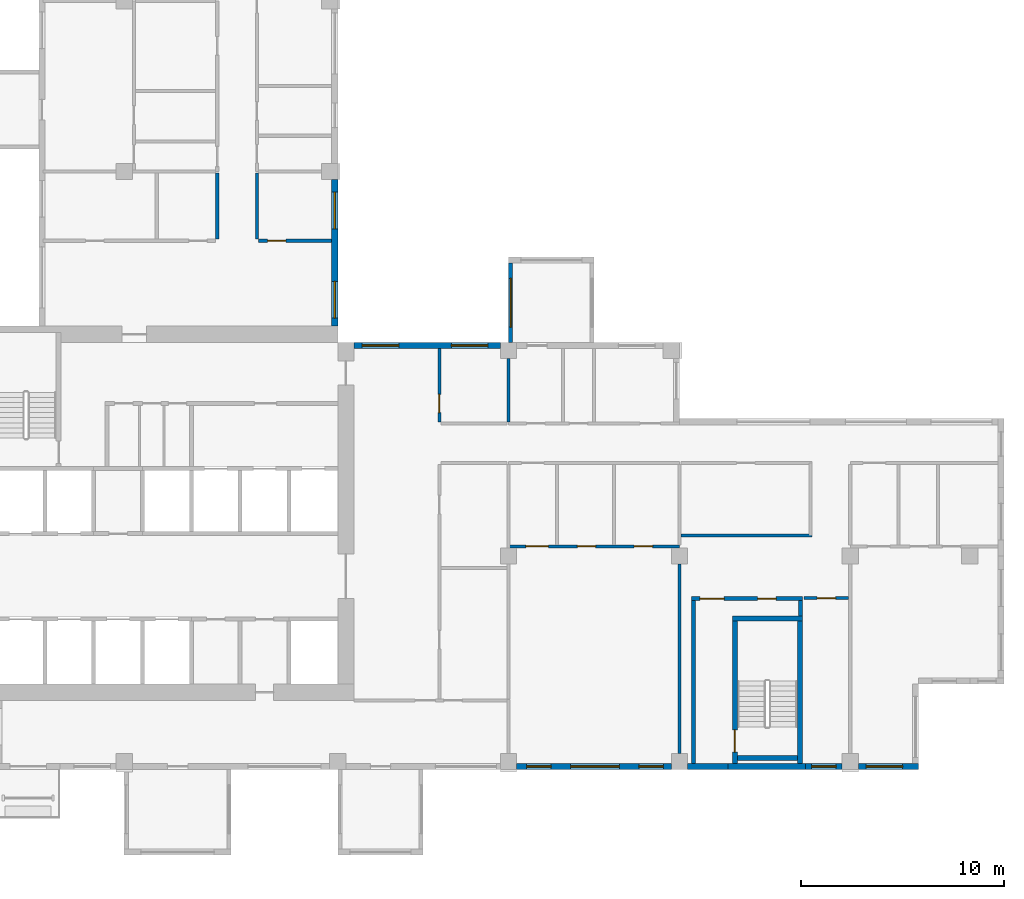
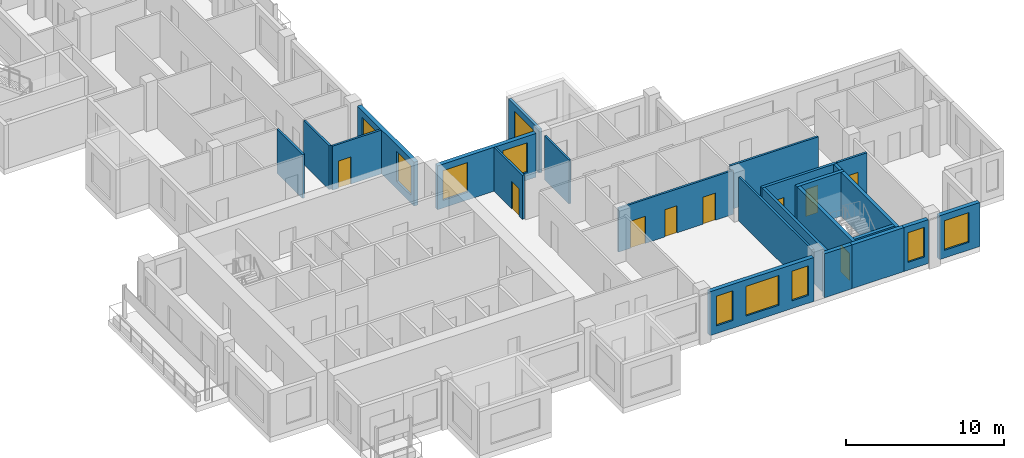
# One storey, part 4 of 12: 24 walls, 10 windows, 9 doors, 19 openings.
"""IFC4 building model written with IfcOpenShell, lengths in metres."""

from ifc_helpers import new_model, si_unit, direction, frame, frame_2d, origin, place, context, subcontext, project, spatial, rectangle, extrude, source, transform, mapped, material, layer, layer_set, type_object, element, fill, save


model = new_model("IFC4")

# Units and contexts
model_context = context("Model", 3, precision=1e-05, world=origin(), true_north=direction((0.0, 1.0)))
body_context = subcontext(model_context, "Body", "Model", "MODEL_VIEW")
ifc_project = project(units=[si_unit("LENGTHUNIT", "METRE"), si_unit("AREAUNIT", "SQUARE_METRE"), si_unit("VOLUMEUNIT", "CUBIC_METRE"), si_unit("PLANEANGLEUNIT", "RADIAN"), si_unit("MASSUNIT", "GRAM", prefix="KILO")], contexts=[model_context])

# Site, building, storey
site_placement = place(None, origin())
site = spatial("IfcSite", under=ifc_project, at=site_placement, CompositionType="ELEMENT")
building_placement = place(site_placement, origin())
building = spatial("IfcBuilding", under=site, at=building_placement, Name="Aurelian Terraces", CompositionType="ELEMENT")
storey_placement = place(building_placement, frame((0.0, 0.0, 246.2)))
storey = spatial("IfcBuildingStorey", under=building, at=storey_placement, Name="L56", CompositionType="ELEMENT", Elevation=246.2)

# Wall, opening, window
ifc_material_1 = material(Name="Concrete fc' 40 MPa", Category="concrete")
ifc_layer_1 = layer(ifc_material_1, 0.2)
ifc_layer_set_1 = layer_set([ifc_layer_1], Name="BOX BEARING WALL 200")
wall_type_1 = type_object("IfcWallType", Name="BOX BEARING WALL 200", PredefinedType="SOLIDWALL", material=ifc_layer_set_1)
shared_shape_1 = source(origin(), body_context, "Body", "SweptSolid", [
    extrude(rectangle(XDim=3.9, YDim=0.2, at=frame_2d((1.95, 0.0))), origin(), (0.0, 0.0, 1.0), 3.4),
])
wall_1_placement = place(storey_placement, frame((29.5, 21.0, 0.0), z_axis=(0.0, 0.0, 1.0), x_axis=(0.0, 1.0, 0.0)))
wall_1 = element("IfcWall", 1, at=wall_1_placement, inside=storey, type_object=wall_type_1, Name="Box return L56 J81.2", PredefinedType="SOLIDWALL", context=body_context, shape_type="MappedRepresentation", body=[
    mapped(shared_shape_1, transform((0.0, 0.0, 0.0), scale=1.0)),
])
shared_shape_2 = source(origin(), body_context, "Body", "SweptSolid", [
    extrude(rectangle(XDim=2.4, YDim=2.3, at=frame_2d((1.2, 1.15))), frame((0.0, 0.11, 0.0), z_axis=(0.0, -1.0, 0.0), x_axis=(1.0, 0.0, 0.0)), (0.0, 0.0, 1.0), 0.22),
])
opening_1_placement = place(wall_1_placement, frame((0.75, 0.0, 0.6)))
opening_1 = element("IfcOpeningElement", 2, at=opening_1_placement, cuts=wall_1, Name="Opening W2423", PredefinedType="OPENING", context=body_context, shape_type="MappedRepresentation", body=[
    mapped(shared_shape_2, transform((0.0, 0.0, 0.0), scale=1.0)),
])
ifc_material_2 = material(Name="Clear glazing", Category="glass")
window_type_1 = type_object("IfcWindowType", Name="W-2400x2300", PartitioningType="SINGLE_PANEL", PredefinedType="WINDOW", material=ifc_material_2)
shared_shape_3 = source(origin(), body_context, "Body", "SweptSolid", [
    extrude(rectangle(XDim=2.4, YDim=2.3, at=frame_2d((1.2, 1.15))), frame((0.0, 0.03, 0.0), z_axis=(0.0, -1.0, 0.0), x_axis=(1.0, 0.0, 0.0)), (0.0, 0.0, 1.0), 0.06),
])
window_1_placement = place(opening_1_placement, origin())
window_1 = element("IfcWindow", 3, at=window_1_placement, inside=storey, type_object=window_type_1, Name="Window L56 J81-S2", OverallHeight=2.3, OverallWidth=2.4, PartitioningType="SINGLE_PANEL", PredefinedType="WINDOW", context=body_context, shape_type="MappedRepresentation", body=[
    mapped(shared_shape_3, transform((0.0, 0.0, 0.0), scale=1.0)),
])
fill(opening_1, window_1)

# Wall
ifc_layer_2 = layer(ifc_material_1, 0.3)
ifc_layer_set_2 = layer_set([ifc_layer_2], Name="STAIR BAY WALL 300")
wall_type_2 = type_object("IfcWallType", Name="STAIR BAY WALL 300", PredefinedType="SOLIDWALL", material=ifc_layer_set_2)
shared_shape_4 = source(origin(), body_context, "Body", "SweptSolid", [
    extrude(rectangle(XDim=3.8, YDim=0.3, at=frame_2d((1.9, 0.0))), origin(), (0.0, 0.0, 1.0), 3.4),
])
wall_2_placement = place(storey_placement, frame((40.2, 0.15, 0.0), z_axis=(0.0, 0.0, 1.0), x_axis=(1.0, 0.0, 0.0)))
element("IfcWall", 4, at=wall_2_placement, inside=storey, type_object=wall_type_2, Name="Stair bay wall L56 F01.6", PredefinedType="SOLIDWALL", context=body_context, shape_type="MappedRepresentation", body=[
    mapped(shared_shape_4, transform((0.0, 0.0, 0.0), scale=1.0)),
])

# Wall, openings, windows
ifc_material_3 = material(Name="Terracotta rainscreen cladding", Category="masonry")
ifc_layer_3 = layer(ifc_material_3, 0.3)
ifc_layer_set_3 = layer_set([ifc_layer_3], Name="EW-300")
wall_type_3 = type_object("IfcWallType", Name="EW-300", PredefinedType="STANDARD", material=ifc_layer_set_3)
shared_shape_5 = source(origin(), body_context, "Body", "SweptSolid", [
    extrude(rectangle(XDim=7.2, YDim=0.3, at=frame_2d((3.6, 0.0))), origin(), (0.0, 0.0, 1.0), 3.4),
])
wall_3_placement = place(storey_placement, frame((29.0, 20.85, 0.0), z_axis=(0.0, 0.0, 1.0), x_axis=(-1.0, 0.0, 0.0)))
wall_3 = element("IfcWall", 5, at=wall_3_placement, inside=storey, type_object=wall_type_3, Name="External wall L56 F07.17", PredefinedType="STANDARD", context=body_context, shape_type="MappedRepresentation", body=[
    mapped(shared_shape_5, transform((0.0, 0.0, 0.0), scale=1.0)),
])
shared_shape_6 = source(origin(), body_context, "Body", "SweptSolid", [
    extrude(rectangle(XDim=1.8, YDim=2.3, at=frame_2d((0.9, 1.15))), frame((0.0, 0.16, 0.0), z_axis=(0.0, -1.0, 0.0), x_axis=(1.0, 0.0, 0.0)), (0.0, 0.0, 1.0), 0.32),
])
opening_2_placement = place(wall_3_placement, frame((0.6125, 0.0, 0.6)))
opening_2 = element("IfcOpeningElement", 6, at=opening_2_placement, cuts=wall_3, Name="Opening W1823", PredefinedType="OPENING", context=body_context, shape_type="MappedRepresentation", body=[
    mapped(shared_shape_6, transform((0.0, 0.0, 0.0), scale=1.0)),
])
opening_3_placement = place(wall_3_placement, frame((5.0, 0.0, 0.6)))
opening_3 = element("IfcOpeningElement", 7, at=opening_3_placement, cuts=wall_3, Name="Opening W1823", PredefinedType="OPENING", context=body_context, shape_type="MappedRepresentation", body=[
    mapped(shared_shape_6, transform((0.0, 0.0, 0.0), scale=1.0)),
])
window_type_2 = type_object("IfcWindowType", Name="W-1800x2300", PartitioningType="SINGLE_PANEL", PredefinedType="WINDOW", material=ifc_material_2)
shared_shape_7 = source(origin(), body_context, "Body", "SweptSolid", [
    extrude(rectangle(XDim=1.8, YDim=2.3, at=frame_2d((0.9, 1.15))), frame((0.0, 0.03, 0.0), z_axis=(0.0, -1.0, 0.0), x_axis=(1.0, 0.0, 0.0)), (0.0, 0.0, 1.0), 0.06),
])
window_2_placement = place(opening_2_placement, origin())
window_2 = element("IfcWindow", 8, at=window_2_placement, inside=storey, type_object=window_type_2, Name="Window L56 L56-F07-17-0", OverallHeight=2.3, OverallWidth=1.8, PartitioningType="SINGLE_PANEL", PredefinedType="WINDOW", context=body_context, shape_type="MappedRepresentation", body=[
    mapped(shared_shape_7, transform((0.0, 0.0, 0.0), scale=1.0)),
])
fill(opening_2, window_2)
window_3_placement = place(opening_3_placement, origin())
window_3 = element("IfcWindow", 9, at=window_3_placement, inside=storey, type_object=window_type_2, Name="Window L56 L56-F07-17-1", OverallHeight=2.3, OverallWidth=1.8, PartitioningType="SINGLE_PANEL", PredefinedType="WINDOW", context=body_context, shape_type="MappedRepresentation", body=[
    mapped(shared_shape_7, transform((0.0, 0.0, 0.0), scale=1.0)),
])
fill(opening_3, window_3)

wall_4_placement = place(storey_placement, frame((20.85, 21.8, 0.0), z_axis=(0.0, 0.0, 1.0), x_axis=(0.0, 1.0, 0.0)))
wall_4 = element("IfcWall", 10, at=wall_4_placement, inside=storey, type_object=wall_type_3, Name="External wall L56 F08.18", PredefinedType="STANDARD", context=body_context, shape_type="MappedRepresentation", body=[
    mapped(shared_shape_5, transform((0.0, 0.0, 0.0), scale=1.0)),
])
opening_4_placement = place(wall_4_placement, frame((0.4, 0.0, 0.6)))
opening_4 = element("IfcOpeningElement", 11, at=opening_4_placement, cuts=wall_4, Name="Opening W1823", PredefinedType="OPENING", context=body_context, shape_type="MappedRepresentation", body=[
    mapped(shared_shape_6, transform((0.0, 0.0, 0.0), scale=1.0)),
])
opening_5_placement = place(wall_4_placement, frame((4.7875, 0.0, 0.6)))
opening_5 = element("IfcOpeningElement", 12, at=opening_5_placement, cuts=wall_4, Name="Opening W1823", PredefinedType="OPENING", context=body_context, shape_type="MappedRepresentation", body=[
    mapped(shared_shape_6, transform((0.0, 0.0, 0.0), scale=1.0)),
])
window_4_placement = place(opening_4_placement, origin())
window_4 = element("IfcWindow", 13, at=window_4_placement, inside=storey, type_object=window_type_2, Name="Window L56 L56-F08-18-0", OverallHeight=2.3, OverallWidth=1.8, PartitioningType="SINGLE_PANEL", PredefinedType="WINDOW", context=body_context, shape_type="MappedRepresentation", body=[
    mapped(shared_shape_7, transform((0.0, 0.0, 0.0), scale=1.0)),
])
fill(opening_4, window_4)
window_5_placement = place(opening_5_placement, origin())
window_5 = element("IfcWindow", 14, at=window_5_placement, inside=storey, type_object=window_type_2, Name="Window L56 L56-F08-18-1", OverallHeight=2.3, OverallWidth=1.8, PartitioningType="SINGLE_PANEL", PredefinedType="WINDOW", context=body_context, shape_type="MappedRepresentation", body=[
    mapped(shared_shape_7, transform((0.0, 0.0, 0.0), scale=1.0)),
])
fill(opening_5, window_5)

shared_shape_8 = source(origin(), body_context, "Body", "SweptSolid", [
    extrude(rectangle(XDim=7.6, YDim=0.3, at=frame_2d((3.8, 0.0))), origin(), (0.0, 0.0, 1.0), 3.4),
])
wall_5_placement = place(storey_placement, frame((29.8, 0.15, 0.0), z_axis=(0.0, 0.0, 1.0), x_axis=(1.0, 0.0, 0.0)))
wall_5 = element("IfcWall", 15, at=wall_5_placement, inside=storey, type_object=wall_type_3, Name="External wall L56 F01.5", PredefinedType="STANDARD", context=body_context, shape_type="MappedRepresentation", body=[
    mapped(shared_shape_8, transform((0.0, 0.0, 0.0), scale=1.0)),
])
shared_shape_9 = source(origin(), body_context, "Body", "SweptSolid", [
    extrude(rectangle(XDim=1.2, YDim=2.3, at=frame_2d((0.6, 1.15))), frame((0.0, 0.16, 0.0), z_axis=(0.0, -1.0, 0.0), x_axis=(1.0, 0.0, 0.0)), (0.0, 0.0, 1.0), 0.32),
])
opening_6_placement = place(wall_5_placement, frame((0.4875, 0.0, 0.6)))
opening_6 = element("IfcOpeningElement", 16, at=opening_6_placement, cuts=wall_5, Name="Opening W1223", PredefinedType="OPENING", context=body_context, shape_type="MappedRepresentation", body=[
    mapped(shared_shape_9, transform((0.0, 0.0, 0.0), scale=1.0)),
])
opening_7_placement = place(wall_5_placement, frame((6.0125, 0.0, 0.6)))
opening_7 = element("IfcOpeningElement", 17, at=opening_7_placement, cuts=wall_5, Name="Opening W1223", PredefinedType="OPENING", context=body_context, shape_type="MappedRepresentation", body=[
    mapped(shared_shape_9, transform((0.0, 0.0, 0.0), scale=1.0)),
])
shared_shape_10 = source(origin(), body_context, "Body", "SweptSolid", [
    extrude(rectangle(XDim=2.4, YDim=2.3, at=frame_2d((1.2, 1.15))), frame((0.0, 0.16, 0.0), z_axis=(0.0, -1.0, 0.0), x_axis=(1.0, 0.0, 0.0)), (0.0, 0.0, 1.0), 0.32),
])
opening_8_placement = place(wall_5_placement, frame((2.65, 0.0, 0.6)))
opening_8 = element("IfcOpeningElement", 18, at=opening_8_placement, cuts=wall_5, Name="Opening W2423", PredefinedType="OPENING", context=body_context, shape_type="MappedRepresentation", body=[
    mapped(shared_shape_10, transform((0.0, 0.0, 0.0), scale=1.0)),
])
window_type_3 = type_object("IfcWindowType", Name="W-1200x2300", PartitioningType="SINGLE_PANEL", PredefinedType="WINDOW", material=ifc_material_2)
shared_shape_11 = source(origin(), body_context, "Body", "SweptSolid", [
    extrude(rectangle(XDim=1.2, YDim=2.3, at=frame_2d((0.6, 1.15))), frame((0.0, 0.03, 0.0), z_axis=(0.0, -1.0, 0.0), x_axis=(1.0, 0.0, 0.0)), (0.0, 0.0, 1.0), 0.06),
])
window_6_placement = place(opening_6_placement, origin())
window_6 = element("IfcWindow", 19, at=window_6_placement, inside=storey, type_object=window_type_3, Name="Window L56 L56-F01-05-0", OverallHeight=2.3, OverallWidth=1.2, PartitioningType="SINGLE_PANEL", PredefinedType="WINDOW", context=body_context, shape_type="MappedRepresentation", body=[
    mapped(shared_shape_11, transform((0.0, 0.0, 0.0), scale=1.0)),
])
fill(opening_6, window_6)
window_7_placement = place(opening_7_placement, origin())
window_7 = element("IfcWindow", 20, at=window_7_placement, inside=storey, type_object=window_type_3, Name="Window L56 L56-F01-05-1", OverallHeight=2.3, OverallWidth=1.2, PartitioningType="SINGLE_PANEL", PredefinedType="WINDOW", context=body_context, shape_type="MappedRepresentation", body=[
    mapped(shared_shape_11, transform((0.0, 0.0, 0.0), scale=1.0)),
])
fill(opening_7, window_7)
window_8_placement = place(opening_8_placement, origin())
window_8 = element("IfcWindow", 21, at=window_8_placement, inside=storey, type_object=window_type_1, Name="Window L56 L56-F01-05-G0-21", OverallHeight=2.3, OverallWidth=2.4, PartitioningType="SINGLE_PANEL", PredefinedType="WINDOW", context=body_context, shape_type="MappedRepresentation", body=[
    mapped(shared_shape_3, transform((0.0, 0.0, 0.0), scale=1.0)),
])
fill(opening_8, window_8)

# Wall, opening, window
shared_shape_12 = source(origin(), body_context, "Body", "SweptSolid", [
    extrude(rectangle(XDim=2.96, YDim=0.3, at=frame_2d((1.48, 0.0))), origin(), (0.0, 0.0, 1.0), 3.4),
])
wall_6_placement = place(storey_placement, frame((46.6, 0.15, 0.0), z_axis=(0.0, 0.0, 1.0), x_axis=(1.0, 0.0, 0.0)))
wall_6 = element("IfcWall", 22, at=wall_6_placement, inside=storey, type_object=wall_type_3, Name="External wall L56 F01.7", PredefinedType="STANDARD", context=body_context, shape_type="MappedRepresentation", body=[
    mapped(shared_shape_12, transform((0.0, 0.0, 0.0), scale=1.0)),
])
opening_9_placement = place(wall_6_placement, frame((0.38, 0.0, 0.6)))
opening_9 = element("IfcOpeningElement", 23, at=opening_9_placement, cuts=wall_6, Name="Opening W1823", PredefinedType="OPENING", context=body_context, shape_type="MappedRepresentation", body=[
    mapped(shared_shape_6, transform((0.0, 0.0, 0.0), scale=1.0)),
])
window_9_placement = place(opening_9_placement, origin())
window_9 = element("IfcWindow", 24, at=window_9_placement, inside=storey, type_object=window_type_2, Name="Window L56 L56-F01-07-0", OverallHeight=2.3, OverallWidth=1.8, PartitioningType="SINGLE_PANEL", PredefinedType="WINDOW", context=body_context, shape_type="MappedRepresentation", body=[
    mapped(shared_shape_7, transform((0.0, 0.0, 0.0), scale=1.0)),
])
fill(opening_9, window_9)

# Wall
shared_shape_13 = source(origin(), body_context, "Body", "SweptSolid", [
    extrude(rectangle(XDim=2.0, YDim=0.3, at=frame_2d((1.0, 0.0))), origin(), (0.0, 0.0, 1.0), 3.4),
])
wall_7_placement = place(storey_placement, frame((38.2, 0.15, 0.0), z_axis=(0.0, 0.0, 1.0), x_axis=(1.0, 0.0, 0.0)))
element("IfcWall", 25, at=wall_7_placement, inside=storey, type_object=wall_type_3, Name="External wall L56 F01.6", PredefinedType="STANDARD", context=body_context, shape_type="MappedRepresentation", body=[
    mapped(shared_shape_13, transform((0.0, 0.0, 0.0), scale=1.0)),
])

# Wall, opening, window
shared_shape_14 = source(origin(), body_context, "Body", "SweptSolid", [
    extrude(rectangle(XDim=1.8, YDim=0.3, at=frame_2d((0.9, 0.0))), origin(), (0.0, 0.0, 1.0), 3.4),
])
wall_8_placement = place(storey_placement, frame((44.0, 0.15, 0.0), z_axis=(0.0, 0.0, 1.0), x_axis=(1.0, 0.0, 0.0)))
wall_8 = element("IfcWall", 26, at=wall_8_placement, inside=storey, type_object=wall_type_3, Name="External wall L56 F01.6", PredefinedType="STANDARD", context=body_context, shape_type="MappedRepresentation", body=[
    mapped(shared_shape_14, transform((0.0, 0.0, 0.0), scale=1.0)),
])
opening_10_placement = place(wall_8_placement, frame((0.3, 0.0, 0.6)))
opening_10 = element("IfcOpeningElement", 27, at=opening_10_placement, cuts=wall_8, Name="Opening W1223", PredefinedType="OPENING", context=body_context, shape_type="MappedRepresentation", body=[
    mapped(shared_shape_9, transform((0.0, 0.0, 0.0), scale=1.0)),
])
window_10_placement = place(opening_10_placement, origin())
window_10 = element("IfcWindow", 28, at=window_10_placement, inside=storey, type_object=window_type_3, Name="Window L56 L56-F01-06-P2", OverallHeight=2.3, OverallWidth=1.2, PartitioningType="SINGLE_PANEL", PredefinedType="WINDOW", context=body_context, shape_type="MappedRepresentation", body=[
    mapped(shared_shape_11, transform((0.0, 0.0, 0.0), scale=1.0)),
])
fill(opening_10, window_10)

# Wall, opening, door
ifc_layer_4 = layer(ifc_material_1, 0.25)
ifc_layer_set_4 = layer_set([ifc_layer_4], Name="Stair enclosure wall 250")
wall_type_4 = type_object("IfcWallType", Name="Stair enclosure wall 250", PredefinedType="SOLIDWALL", material=ifc_layer_set_4)
shared_shape_15 = source(origin(), body_context, "Body", "SweptSolid", [
    extrude(rectangle(XDim=7.0, YDim=0.25, at=frame_2d((3.5, 0.0))), origin(), (0.0, 0.0, 1.0), 3.4),
])
wall_9_placement = place(storey_placement, frame((40.525, 0.3, 0.0), z_axis=(0.0, 0.0, 1.0), x_axis=(0.0, 1.0, 0.0)))
wall_9 = element("IfcWall", 29, at=wall_9_placement, inside=storey, type_object=wall_type_4, Name="L56 core wall ST-S2-W", PredefinedType="SOLIDWALL", context=body_context, shape_type="MappedRepresentation", body=[
    mapped(shared_shape_15, transform((0.0, 0.0, 0.0), scale=1.0)),
])
shared_shape_16 = source(origin(), body_context, "Body", "SweptSolid", [
    extrude(rectangle(XDim=1.1, YDim=2.1, at=frame_2d((0.55, 1.05))), frame((0.0, 0.135, 0.0), z_axis=(0.0, -1.0, 0.0), x_axis=(1.0, 0.0, 0.0)), (0.0, 0.0, 1.0), 0.27),
])
opening_11_placement = place(wall_9_placement, frame((0.55, 0.0, 0.0)))
opening_11 = element("IfcOpeningElement", 30, at=opening_11_placement, cuts=wall_9, Name="Opening 65917", PredefinedType="OPENING", context=body_context, shape_type="MappedRepresentation", body=[
    mapped(shared_shape_16, transform((0.0, 0.0, 0.0), scale=1.0)),
])
ifc_material_4 = material(Name="Steel door leaf", Category="steel")
door_type_1 = type_object("IfcDoorType", Name="Core fire door 1100x2100", OperationType="SINGLE_SWING_LEFT", PredefinedType="DOOR", material=ifc_material_4)
shared_shape_17 = source(origin(), body_context, "Body", "SweptSolid", [
    extrude(rectangle(XDim=1.1, YDim=2.1, at=frame_2d((0.55, 1.05))), frame((0.0, 0.025, 0.0), z_axis=(0.0, -1.0, 0.0), x_axis=(1.0, 0.0, 0.0)), (0.0, 0.0, 1.0), 0.05),
])
door_1_placement = place(opening_11_placement, origin())
door_1 = element("IfcDoor", 31, at=door_1_placement, inside=storey, type_object=door_type_1, Name="Stair door 65917", OperationType="SINGLE_SWING_LEFT", OverallHeight=2.1, OverallWidth=1.1, PredefinedType="DOOR", context=body_context, shape_type="MappedRepresentation", body=[
    mapped(shared_shape_17, transform((0.0, 0.0, 0.0), scale=1.0)),
])
fill(opening_11, door_1)

# Walls
wall_10_placement = place(storey_placement, frame((43.725, 0.3, 0.0), z_axis=(0.0, 0.0, 1.0), x_axis=(0.0, 1.0, 0.0)))
element("IfcWall", 32, at=wall_10_placement, inside=storey, type_object=wall_type_4, Name="L56 core wall ST-S2-E", PredefinedType="SOLIDWALL", context=body_context, shape_type="MappedRepresentation", body=[
    mapped(shared_shape_15, transform((0.0, 0.0, 0.0), scale=1.0)),
])
shared_shape_18 = source(origin(), body_context, "Body", "SweptSolid", [
    extrude(rectangle(XDim=3.45, YDim=0.25, at=frame_2d((1.725, 0.0))), origin(), (0.0, 0.0, 1.0), 3.4),
])
wall_11_placement = place(storey_placement, frame((40.4, 7.425, 0.0), z_axis=(0.0, 0.0, 1.0), x_axis=(1.0, 0.0, 0.0)))
element("IfcWall", 33, at=wall_11_placement, inside=storey, type_object=wall_type_4, Name="L56 core wall ST-S2-N", PredefinedType="SOLIDWALL", context=body_context, shape_type="MappedRepresentation", body=[
    mapped(shared_shape_18, transform((0.0, 0.0, 0.0), scale=1.0)),
])
shared_shape_19 = source(origin(), body_context, "Body", "SweptSolid", [
    extrude(rectangle(XDim=2.95, YDim=0.25, at=frame_2d((1.475, 0.0))), origin(), (0.0, 0.0, 1.0), 3.4),
])
wall_12_placement = place(storey_placement, frame((40.65, 0.575, 0.0), z_axis=(0.0, 0.0, 1.0), x_axis=(1.0, 0.0, 0.0)))
element("IfcWall", 34, at=wall_12_placement, inside=storey, type_object=wall_type_4, Name="L56 core wall ST-S2-SS", PredefinedType="SOLIDWALL", context=body_context, shape_type="MappedRepresentation", body=[
    mapped(shared_shape_19, transform((0.0, 0.0, 0.0), scale=1.0)),
])

# Wall, openings, doors
ifc_material_5 = material(Name="Gypsum board on steel studs", Category="steel")
ifc_layer_5 = layer(ifc_material_5, 0.2)
ifc_layer_set_5 = layer_set([ifc_layer_5], Name="Core partition 200")
wall_type_5 = type_object("IfcWallType", Name="Core partition 200", PredefinedType="PARTITIONING", material=ifc_layer_set_5)
shared_shape_20 = source(origin(), body_context, "Body", "SweptSolid", [
    extrude(rectangle(XDim=5.45, YDim=0.2, at=frame_2d((2.725, 0.0))), origin(), (0.0, 0.0, 1.0), 3.4),
])
wall_13_placement = place(storey_placement, frame((38.4, 8.4, 0.0), z_axis=(0.0, 0.0, 1.0), x_axis=(1.0, 0.0, 0.0)))
wall_13 = element("IfcWall", 35, at=wall_13_placement, inside=storey, type_object=wall_type_5, Name="L56 core wall ST-S2-BN", PredefinedType="PARTITIONING", context=body_context, shape_type="MappedRepresentation", body=[
    mapped(shared_shape_20, transform((0.0, 0.0, 0.0), scale=1.0)),
])
shared_shape_21 = source(origin(), body_context, "Body", "SweptSolid", [
    extrude(rectangle(XDim=1.2, YDim=2.1, at=frame_2d((0.6, 1.05))), frame((0.0, 0.11, 0.0), z_axis=(0.0, -1.0, 0.0), x_axis=(1.0, 0.0, 0.0)), (0.0, 0.0, 1.0), 0.22),
])
opening_12_placement = place(wall_13_placement, frame((0.4, 0.0, 0.0)))
opening_12 = element("IfcOpeningElement", 36, at=opening_12_placement, cuts=wall_13, Name="Opening 65918", PredefinedType="OPENING", context=body_context, shape_type="MappedRepresentation", body=[
    mapped(shared_shape_21, transform((0.0, 0.0, 0.0), scale=1.0)),
])
shared_shape_22 = source(origin(), body_context, "Body", "SweptSolid", [
    extrude(rectangle(XDim=0.9, YDim=2.1, at=frame_2d((0.45, 1.05))), frame((0.0, 0.11, 0.0), z_axis=(0.0, -1.0, 0.0), x_axis=(1.0, 0.0, 0.0)), (0.0, 0.0, 1.0), 0.22),
])
opening_13_placement = place(wall_13_placement, frame((3.25, 0.0, 0.0)))
opening_13 = element("IfcOpeningElement", 37, at=opening_13_placement, cuts=wall_13, Name="Opening 65919", PredefinedType="OPENING", context=body_context, shape_type="MappedRepresentation", body=[
    mapped(shared_shape_22, transform((0.0, 0.0, 0.0), scale=1.0)),
])
door_type_2 = type_object("IfcDoorType", Name="Core riser door 900x2100", OperationType="SINGLE_SWING_LEFT", PredefinedType="DOOR", material=ifc_material_4)
shared_shape_23 = source(origin(), body_context, "Body", "SweptSolid", [
    extrude(rectangle(XDim=0.9, YDim=2.1, at=frame_2d((0.45, 1.05))), frame((0.0, 0.025, 0.0), z_axis=(0.0, -1.0, 0.0), x_axis=(1.0, 0.0, 0.0)), (0.0, 0.0, 1.0), 0.05),
])
door_2_placement = place(opening_13_placement, origin())
door_2 = element("IfcDoor", 38, at=door_2_placement, inside=storey, type_object=door_type_2, Name="Riser door 65919", OperationType="SINGLE_SWING_LEFT", OverallHeight=2.1, OverallWidth=0.9, PredefinedType="DOOR", context=body_context, shape_type="MappedRepresentation", body=[
    mapped(shared_shape_23, transform((0.0, 0.0, 0.0), scale=1.0)),
])
fill(opening_13, door_2)
door_type_3 = type_object("IfcDoorType", Name="Core fire door 1200x2100 right", OperationType="SINGLE_SWING_RIGHT", PredefinedType="DOOR", material=ifc_material_4)
shared_shape_24 = source(origin(), body_context, "Body", "SweptSolid", [
    extrude(rectangle(XDim=1.2, YDim=2.1, at=frame_2d((0.6, 1.05))), frame((0.0, 0.025, 0.0), z_axis=(0.0, -1.0, 0.0), x_axis=(1.0, 0.0, 0.0)), (0.0, 0.0, 1.0), 0.05),
])
door_3_placement = place(opening_12_placement, origin())
door_3 = element("IfcDoor", 39, at=door_3_placement, inside=storey, type_object=door_type_3, Name="Vestibule door 65918", OperationType="SINGLE_SWING_RIGHT", OverallHeight=2.1, OverallWidth=1.2, PredefinedType="DOOR", context=body_context, shape_type="MappedRepresentation", body=[
    mapped(shared_shape_24, transform((0.0, 0.0, 0.0), scale=1.0)),
])
fill(opening_12, door_3)

# Walls
shared_shape_25 = source(origin(), body_context, "Body", "SweptSolid", [
    extrude(rectangle(XDim=0.75, YDim=0.2, at=frame_2d((0.375, 0.0))), origin(), (0.0, 0.0, 1.0), 3.4),
])
wall_14_placement = place(storey_placement, frame((43.75, 7.55, 0.0), z_axis=(0.0, 0.0, 1.0), x_axis=(0.0, 1.0, 0.0)))
element("IfcWall", 40, at=wall_14_placement, inside=storey, type_object=wall_type_5, Name="L56 core wall ST-S2-RE", PredefinedType="PARTITIONING", context=body_context, shape_type="MappedRepresentation", body=[
    mapped(shared_shape_25, transform((0.0, 0.0, 0.0), scale=1.0)),
])
shared_shape_26 = source(origin(), body_context, "Body", "SweptSolid", [
    extrude(rectangle(XDim=8.0, YDim=0.2, at=frame_2d((4.0, 0.0))), origin(), (0.0, 0.0, 1.0), 3.4),
])
wall_15_placement = place(storey_placement, frame((38.5, 0.3, 0.0), z_axis=(0.0, 0.0, 1.0), x_axis=(0.0, 1.0, 0.0)))
element("IfcWall", 41, at=wall_15_placement, inside=storey, type_object=wall_type_5, Name="L56 core wall ST-S2-VW", PredefinedType="PARTITIONING", context=body_context, shape_type="MappedRepresentation", body=[
    mapped(shared_shape_26, transform((0.0, 0.0, 0.0), scale=1.0)),
])
ifc_layer_6 = layer(ifc_material_5, 0.15)
ifc_layer_set_6 = layer_set([ifc_layer_6], Name="Partition 150")
wall_type_6 = type_object("IfcWallType", Name="Partition 150", PredefinedType="PARTITIONING", material=ifc_layer_set_6)
shared_shape_27 = source(origin(), body_context, "Body", "SweptSolid", [
    extrude(rectangle(XDim=6.45, YDim=0.15, at=frame_2d((3.225, 0.0))), origin(), (0.0, 0.0, 1.0), 3.4),
])
wall_16_placement = place(storey_placement, frame((37.875, 11.5, 0.0), z_axis=(0.0, 0.0, 1.0), x_axis=(1.0, 0.0, 0.0)))
element("IfcWall", 42, at=wall_16_placement, inside=storey, type_object=wall_type_6, Name="Partition", PredefinedType="PARTITIONING", context=body_context, shape_type="MappedRepresentation", body=[
    mapped(shared_shape_27, transform((0.0, 0.0, 0.0), scale=1.0)),
])

# Wall, opening, door
shared_shape_28 = source(origin(), body_context, "Body", "SweptSolid", [
    extrude(rectangle(XDim=3.6, YDim=0.15, at=frame_2d((1.8, 0.0))), origin(), (0.0, 0.0, 1.0), 3.4),
])
wall_17_placement = place(storey_placement, frame((26.0, 20.7, 0.0), z_axis=(0.0, 0.0, 1.0), x_axis=(0.0, -1.0, 0.0)))
wall_17 = element("IfcWall", 43, at=wall_17_placement, inside=storey, type_object=wall_type_6, Name="Partition", PredefinedType="PARTITIONING", context=body_context, shape_type="MappedRepresentation", body=[
    mapped(shared_shape_28, transform((0.0, 0.0, 0.0), scale=1.0)),
])
shared_shape_29 = source(origin(), body_context, "Body", "SweptSolid", [
    extrude(rectangle(XDim=0.9, YDim=2.1, at=frame_2d((0.45, 1.05))), frame((0.0, 0.085, 0.0), z_axis=(0.0, -1.0, 0.0), x_axis=(1.0, 0.0, 0.0)), (0.0, 0.0, 1.0), 0.17),
])
opening_14_placement = place(wall_17_placement, frame((2.25, 0.0, 0.0)))
opening_14 = element("IfcOpeningElement", 44, at=opening_14_placement, cuts=wall_17, Name="Opening 756003", PredefinedType="OPENING", context=body_context, shape_type="MappedRepresentation", body=[
    mapped(shared_shape_29, transform((0.0, 0.0, 0.0), scale=1.0)),
])
ifc_material_6 = material(Name="Timber door leaf", Category="wood")
door_type_4 = type_object("IfcDoorType", Name="Room door 900x2100 right", OperationType="SINGLE_SWING_RIGHT", PredefinedType="DOOR", material=ifc_material_6)
door_4_placement = place(opening_14_placement, origin())
door_4 = element("IfcDoor", 45, at=door_4_placement, inside=storey, type_object=door_type_4, Name="Door 756003", OperationType="SINGLE_SWING_RIGHT", OverallHeight=2.1, OverallWidth=0.9, PredefinedType="DOOR", context=body_context, shape_type="MappedRepresentation", body=[
    mapped(shared_shape_23, transform((0.0, 0.0, 0.0), scale=1.0)),
])
fill(opening_14, door_4)

wall_18_placement = place(storey_placement, frame((17.1, 26.0, 0.0), z_axis=(0.0, 0.0, 1.0), x_axis=(1.0, 0.0, 0.0)))
wall_18 = element("IfcWall", 46, at=wall_18_placement, inside=storey, type_object=wall_type_6, Name="Partition", PredefinedType="PARTITIONING", context=body_context, shape_type="MappedRepresentation", body=[
    mapped(shared_shape_28, transform((0.0, 0.0, 0.0), scale=1.0)),
])
opening_15_placement = place(wall_18_placement, frame((0.45, 0.0, 0.0)))
opening_15 = element("IfcOpeningElement", 47, at=opening_15_placement, cuts=wall_18, Name="Opening 756020", PredefinedType="OPENING", context=body_context, shape_type="MappedRepresentation", body=[
    mapped(shared_shape_29, transform((0.0, 0.0, 0.0), scale=1.0)),
])
door_5_placement = place(opening_15_placement, origin())
door_5 = element("IfcDoor", 48, at=door_5_placement, inside=storey, type_object=door_type_4, Name="Door 756020", OperationType="SINGLE_SWING_RIGHT", OverallHeight=2.1, OverallWidth=0.9, PredefinedType="DOOR", context=body_context, shape_type="MappedRepresentation", body=[
    mapped(shared_shape_23, transform((0.0, 0.0, 0.0), scale=1.0)),
])
fill(opening_15, door_5)

# Wall, openings, doors
shared_shape_30 = source(origin(), body_context, "Body", "SweptSolid", [
    extrude(rectangle(XDim=8.4, YDim=0.15, at=frame_2d((4.2, 0.0))), origin(), (0.0, 0.0, 1.0), 3.4),
])
wall_19_placement = place(storey_placement, frame((37.8, 10.975, 0.0), z_axis=(0.0, 0.0, 1.0), x_axis=(-1.0, 0.0, 0.0)))
wall_19 = element("IfcWall", 49, at=wall_19_placement, inside=storey, type_object=wall_type_6, Name="Partition", PredefinedType="PARTITIONING", context=body_context, shape_type="MappedRepresentation", body=[
    mapped(shared_shape_30, transform((0.0, 0.0, 0.0), scale=1.0)),
])
shared_shape_31 = source(origin(), body_context, "Body", "SweptSolid", [
    extrude(rectangle(XDim=1.1, YDim=2.1, at=frame_2d((0.55, 1.05))), frame((0.0, 0.085, 0.0), z_axis=(0.0, -1.0, 0.0), x_axis=(1.0, 0.0, 0.0)), (0.0, 0.0, 1.0), 0.17),
])
opening_16_placement = place(wall_19_placement, frame((6.449, 0.0, 0.0)))
opening_16 = element("IfcOpeningElement", 50, at=opening_16_placement, cuts=wall_19, Name="Opening 756008", PredefinedType="OPENING", context=body_context, shape_type="MappedRepresentation", body=[
    mapped(shared_shape_31, transform((0.0, 0.0, 0.0), scale=1.0)),
])
opening_17_placement = place(wall_19_placement, frame((4.1201, 0.0, 0.0)))
opening_17 = element("IfcOpeningElement", 51, at=opening_17_placement, cuts=wall_19, Name="Opening 756009", PredefinedType="OPENING", context=body_context, shape_type="MappedRepresentation", body=[
    mapped(shared_shape_29, transform((0.0, 0.0, 0.0), scale=1.0)),
])
opening_18_placement = place(wall_19_placement, frame((1.3212, 0.0, 0.0)))
opening_18 = element("IfcOpeningElement", 52, at=opening_18_placement, cuts=wall_19, Name="Opening 756010", PredefinedType="OPENING", context=body_context, shape_type="MappedRepresentation", body=[
    mapped(shared_shape_29, transform((0.0, 0.0, 0.0), scale=1.0)),
])
door_6_placement = place(opening_17_placement, origin())
door_6 = element("IfcDoor", 53, at=door_6_placement, inside=storey, type_object=door_type_4, Name="Door 756009", OperationType="SINGLE_SWING_RIGHT", OverallHeight=2.1, OverallWidth=0.9, PredefinedType="DOOR", context=body_context, shape_type="MappedRepresentation", body=[
    mapped(shared_shape_23, transform((0.0, 0.0, 0.0), scale=1.0)),
])
fill(opening_17, door_6)
door_type_5 = type_object("IfcDoorType", Name="Room door 900x2100 left", OperationType="SINGLE_SWING_LEFT", PredefinedType="DOOR", material=ifc_material_6)
door_7_placement = place(opening_18_placement, origin())
door_7 = element("IfcDoor", 54, at=door_7_placement, inside=storey, type_object=door_type_5, Name="Door 756010", OperationType="SINGLE_SWING_LEFT", OverallHeight=2.1, OverallWidth=0.9, PredefinedType="DOOR", context=body_context, shape_type="MappedRepresentation", body=[
    mapped(shared_shape_23, transform((0.0, 0.0, 0.0), scale=1.0)),
])
fill(opening_18, door_7)
door_type_6 = type_object("IfcDoorType", Name="Room door 1100x2100 left", OperationType="SINGLE_SWING_LEFT", PredefinedType="DOOR", material=ifc_material_6)
door_8_placement = place(opening_16_placement, origin())
door_8 = element("IfcDoor", 55, at=door_8_placement, inside=storey, type_object=door_type_6, Name="Door 756008", OperationType="SINGLE_SWING_LEFT", OverallHeight=2.1, OverallWidth=1.1, PredefinedType="DOOR", context=body_context, shape_type="MappedRepresentation", body=[
    mapped(shared_shape_17, transform((0.0, 0.0, 0.0), scale=1.0)),
])
fill(opening_16, door_8)

# Wall, opening, door
shared_shape_32 = source(origin(), body_context, "Body", "SweptSolid", [
    extrude(rectangle(XDim=2.2, YDim=0.15, at=frame_2d((1.1, 0.0))), origin(), (0.0, 0.0, 1.0), 3.4),
])
wall_20_placement = place(storey_placement, frame((46.125, 8.425, 0.0), z_axis=(0.0, 0.0, 1.0), x_axis=(-1.0, 0.0, 0.0)))
wall_20 = element("IfcWall", 56, at=wall_20_placement, inside=storey, type_object=wall_type_6, Name="Partition", PredefinedType="PARTITIONING", context=body_context, shape_type="MappedRepresentation", body=[
    mapped(shared_shape_32, transform((0.0, 0.0, 0.0), scale=1.0)),
])
opening_19_placement = place(wall_20_placement, frame((0.65, 0.0, 0.0)))
opening_19 = element("IfcOpeningElement", 57, at=opening_19_placement, cuts=wall_20, Name="Opening 756006", PredefinedType="OPENING", context=body_context, shape_type="MappedRepresentation", body=[
    mapped(shared_shape_29, transform((0.0, 0.0, 0.0), scale=1.0)),
])
door_9_placement = place(opening_19_placement, origin())
door_9 = element("IfcDoor", 58, at=door_9_placement, inside=storey, type_object=door_type_5, Name="Door 756006", OperationType="SINGLE_SWING_LEFT", OverallHeight=2.1, OverallWidth=0.9, PredefinedType="DOOR", context=body_context, shape_type="MappedRepresentation", body=[
    mapped(shared_shape_23, transform((0.0, 0.0, 0.0), scale=1.0)),
])
fill(opening_19, door_9)

# Walls
ifc_layer_7 = layer(ifc_material_5, 0.15)
ifc_layer_set_7 = layer_set([ifc_layer_7], Name="Fire partition 150")
wall_type_7 = type_object("IfcWallType", Name="Fire partition 150", PredefinedType="PARTITIONING", material=ifc_layer_set_7)
shared_shape_33 = source(origin(), body_context, "Body", "SweptSolid", [
    extrude(rectangle(XDim=9.302, YDim=0.15, at=frame_2d((4.651, 0.0))), origin(), (0.0, 0.0, 1.0), 3.4),
])
wall_21_placement = place(storey_placement, frame((37.8, 0.799, 0.0), z_axis=(0.0, 0.0, 1.0), x_axis=(0.0, 1.0, 0.0)))
element("IfcWall", 59, at=wall_21_placement, inside=storey, type_object=wall_type_7, Name="Party wall", PredefinedType="PARTITIONING", context=body_context, shape_type="MappedRepresentation", body=[
    mapped(shared_shape_33, transform((0.0, 0.0, 0.0), scale=1.0)),
])
shared_shape_34 = source(origin(), body_context, "Body", "SweptSolid", [
    extrude(rectangle(XDim=3.101, YDim=0.15, at=frame_2d((1.5505, 0.0))), origin(), (0.0, 0.0, 1.0), 3.4),
])
wall_22_placement = place(storey_placement, frame((29.4, 17.1, 0.0), z_axis=(0.0, 0.0, 1.0), x_axis=(0.0, 1.0, 0.0)))
element("IfcWall", 60, at=wall_22_placement, inside=storey, type_object=wall_type_6, Name="Partition", PredefinedType="PARTITIONING", context=body_context, shape_type="MappedRepresentation", body=[
    mapped(shared_shape_34, transform((0.0, 0.0, 0.0), scale=1.0)),
])
shared_shape_35 = source(origin(), body_context, "Body", "SweptSolid", [
    extrude(rectangle(XDim=3.25, YDim=0.15, at=frame_2d((1.625, 0.0))), origin(), (0.0, 0.0, 1.0), 3.4),
])
for number, where, z_axis, x_axis, name in (
    (61, (15.075, 26.075, 0.0), (0.0, 0.0, 1.0), (0.0, 1.0, 0.0), "Corridor wall"),
    (62, (17.025, 29.325, 0.0), (0.0, 0.0, 1.0), (0.0, -1.0, 0.0), "Corridor wall"),
):
    element("IfcWall", number, at=place(storey_placement, frame(where, z_axis=z_axis, x_axis=x_axis)), inside=storey, type_object=wall_type_7, Name=name, PredefinedType="PARTITIONING", context=body_context, shape_type="MappedRepresentation", body=[
        mapped(shared_shape_35, transform((0.0, 0.0, 0.0), scale=1.0)),
    ])

save(model, "model.ifc")
